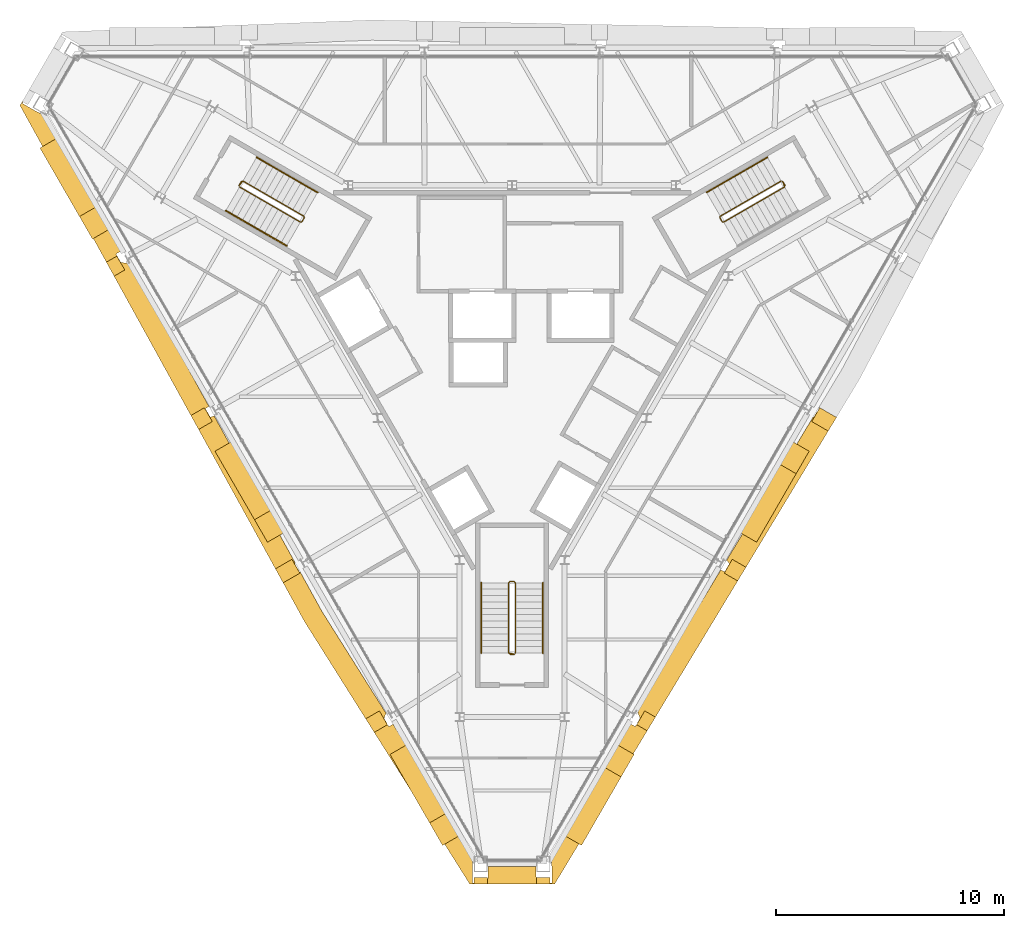
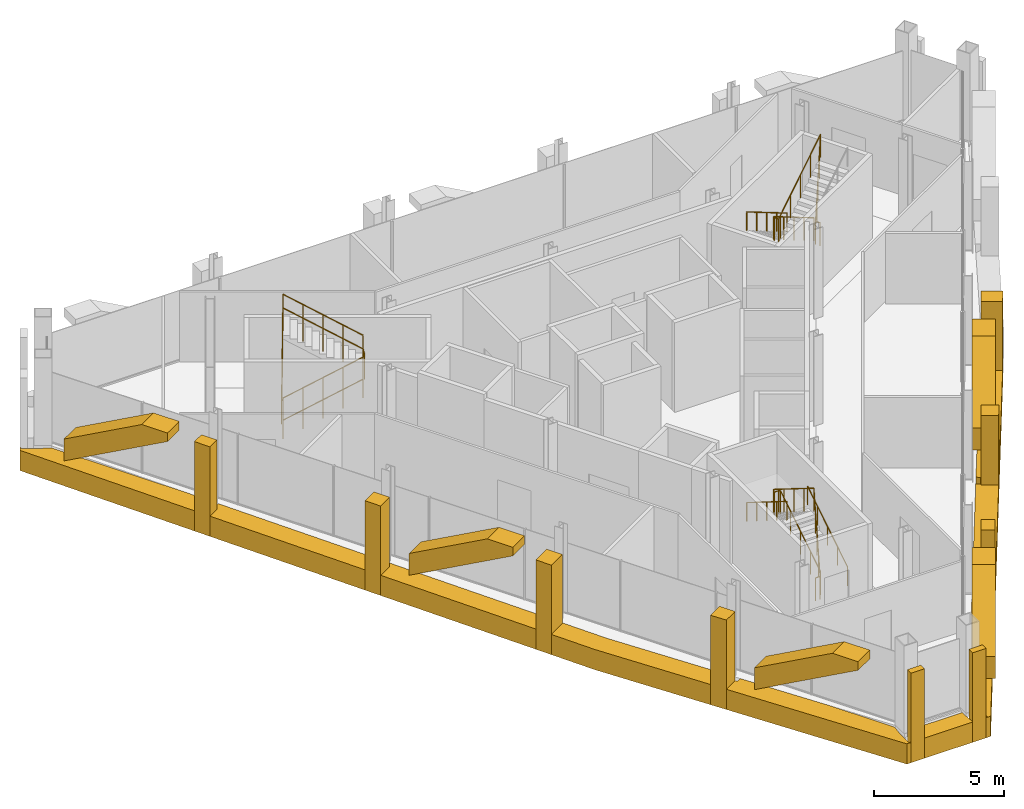
# One storey, part 12 of 13: 20 coverings, 8 railings.
"""IFC4 building model written with IfcOpenShell, lengths in metres."""

from ifc_helpers import new_model, si_unit, direction, frame, origin, origin_2d, place, context, subcontext, project, spatial, polyline, circle, outline, extrude, material, layer, layer_set, type_object, element, save


model = new_model("IFC4")

# Units and contexts
model_context = context("Model", 3, precision=1e-05, world=origin(), true_north=direction((0.0, 1.0)))
body_context = subcontext(model_context, "Body", "Model", "MODEL_VIEW")
ifc_project = project(units=[si_unit("LENGTHUNIT", "METRE"), si_unit("AREAUNIT", "SQUARE_METRE"), si_unit("VOLUMEUNIT", "CUBIC_METRE"), si_unit("PLANEANGLEUNIT", "RADIAN"), si_unit("MASSUNIT", "GRAM", prefix="KILO")], contexts=[model_context])

# Site, building, storey
site_placement = place(None, origin())
site = spatial("IfcSite", under=ifc_project, at=site_placement, CompositionType="ELEMENT")
building_placement = place(site_placement, origin())
building = spatial("IfcBuilding", under=site, at=building_placement, Name="Verrane Prism Tower", CompositionType="ELEMENT")
storey_placement = place(building_placement, frame((0.0, 0.0, 308.39990234375)))
storey = spatial("IfcBuildingStorey", under=building, at=storey_placement, Name="L78", CompositionType="ELEMENT", Elevation=308.39990234375)

# Railings
ifc_material_1 = material(Name="Steel A36 rail and posts, no infill", Category="steel")
railing_type_1 = type_object("IfcRailingType", Name="Stair guard 1100 steel rail and posts", PredefinedType="GUARDRAIL", material=ifc_material_1)
railing_1_placement = place(storey_placement, frame((11.78955078125, 6.97998046875, 0.175048828125)))
element("IfcRailing", 1, at=railing_1_placement, inside=storey, type_object=railing_type_1, Name="Stair 1 guard", PredefinedType="GUARDRAIL", context=body_context, shape_type="SweptSolid", body=[
    extrude(circle(Radius=0.02392578125, at=origin_2d()), frame((0.0, 0.0, 1.076171875), z_axis=(-0.734364028329, -0.424015404183, 0.530019255228), x_axis=(0.500026652407, -0.866010015463, 0.0)), (0.0, 0.0, 1.0), 3.632080078125),
    extrude(circle(Radius=0.02392578125, at=origin_2d()), frame((-2.667236328125, -1.5400390625, 3.0009765625), z_axis=(-0.258736085224, -0.965948051503, 0.0), x_axis=(0.965948051503, -0.258736085224, 0.0)), (0.0, 0.0, 1.0), 0.07080078125),
    extrude(circle(Radius=0.02392578125, at=origin_2d()), frame((-2.685546875, -1.6083984375, 3.0009765625), z_axis=(0.499687197852, -0.866205924883, 0.0), x_axis=(0.866205924883, 0.499687197852, 0.0)), (0.0, 0.0, 1.0), 0.199951171875),
    extrude(circle(Radius=0.02392578125, at=origin_2d()), frame((-2.585693359375, -1.781494140625, 3.0009765625), z_axis=(0.362047912139, -0.096977119323, 0.927101260728), x_axis=(0.258736085224, 0.965948051503, 0.0)), (0.0, 0.0, 1.0), 0.188720703125),
    extrude(circle(Radius=0.02392578125, at=origin_2d()), frame((-2.517333984375, -1.7998046875, 3.17626953125), z_axis=(0.734364028329, 0.424015404183, 0.530019255228), x_axis=(-0.500026652407, 0.866010015463, 0.0)), (0.0, 0.0, 1.0), 3.632080078125),
    extrude(circle(Radius=0.02392578125, at=origin_2d()), frame((0.14990234375, -0.259765625, 5.10107421875), z_axis=(-0.019378450477, 0.057381100365, -0.998164257514), x_axis=(-0.947430582667, -0.3199613899, 0.0)), (0.0, 0.0, 1.0), 4.2080078125),
    extrude(circle(Radius=0.02392578125, at=origin_2d()), frame((0.068359375, -0.018310546875, 0.90087890625), z_axis=(0.499158860599, -0.866510491504, 0.0), x_axis=(0.866510491504, 0.499158860599, 0.0)), (0.0, 0.0, 1.0), 0.199951171875),
    extrude(circle(Radius=0.02099609375, at=origin_2d()), origin(), (0.0, 0.0, 1.0), 1.052001953125),
    extrude(circle(Radius=0.02099609375, at=origin_2d()), frame((-0.666748046875, -0.385009765625, 0.481201171875)), (0.0, 0.0, 1.0), 1.052001953125),
    extrude(circle(Radius=0.02099609375, at=origin_2d()), frame((-1.33349609375, -0.77001953125, 0.96240234375)), (0.0, 0.0, 1.0), 1.052001953125),
    extrude(circle(Radius=0.02099609375, at=origin_2d()), frame((-2.00048828125, -1.155029296875, 1.44384765625)), (0.0, 0.0, 1.0), 1.052001953125),
    extrude(circle(Radius=0.02099609375, at=origin_2d()), frame((-2.667236328125, -1.5400390625, 1.925048828125)), (0.0, 0.0, 1.0), 1.052001953125),
    extrude(circle(Radius=0.02099609375, at=origin_2d()), frame((-2.685546875, -1.6083984375, 1.925048828125)), (0.0, 0.0, 1.0), 1.052001953125),
    extrude(circle(Radius=0.02099609375, at=origin_2d()), frame((-2.585693359375, -1.781494140625, 1.925048828125)), (0.0, 0.0, 1.0), 1.052001953125),
    extrude(circle(Radius=0.02099609375, at=origin_2d()), frame((-2.517333984375, -1.7998046875, 2.10009765625)), (0.0, 0.0, 1.0), 1.052001953125),
    extrude(circle(Radius=0.02099609375, at=origin_2d()), frame((-1.8505859375, -1.414794921875, 2.581298828125)), (0.0, 0.0, 1.0), 1.052001953125),
    extrude(circle(Radius=0.02099609375, at=origin_2d()), frame((-1.18359375, -1.02978515625, 3.0625)), (0.0, 0.0, 1.0), 1.052001953125),
    extrude(circle(Radius=0.02099609375, at=origin_2d()), frame((-0.516845703125, -0.644775390625, 3.5439453125)), (0.0, 0.0, 1.0), 1.052001953125),
    extrude(circle(Radius=0.02099609375, at=origin_2d()), frame((0.14990234375, -0.259765625, 4.025146484375)), (0.0, 0.0, 1.0), 1.052001953125),
    extrude(circle(Radius=0.02099609375, at=origin_2d()), frame((0.12939453125, -0.199462890625, 2.97509765625)), (0.0, 0.0, 1.0), 1.052001953125),
    extrude(circle(Radius=0.02099609375, at=origin_2d()), frame((0.109130859375, -0.13916015625, 1.925048828125)), (0.0, 0.0, 1.0), 1.052001953125),
    extrude(circle(Radius=0.02099609375, at=origin_2d()), frame((0.0888671875, -0.07861328125, 0.875)), (0.0, 0.0, 1.0), 1.052001953125),
    extrude(circle(Radius=0.02099609375, at=origin_2d()), frame((0.068359375, -0.018310546875, -0.175048828125)), (0.0, 0.0, 1.0), 1.052001953125),
    extrude(circle(Radius=0.02099609375, at=origin_2d()), frame((0.168212890625, -0.191650390625, -0.175048828125)), (0.0, 0.0, 1.0), 1.052001953125),
])
railing_2_placement = place(storey_placement, frame((-11.939453125, 6.72021484375, 0.175048828125)))
element("IfcRailing", 2, at=railing_2_placement, inside=storey, type_object=railing_type_1, Name="Stair 2 guard", PredefinedType="GUARDRAIL", context=body_context, shape_type="SweptSolid", body=[
    extrude(circle(Radius=0.02392578125, at=origin_2d()), frame((0.0, 0.0, 1.076171875), z_axis=(0.734364028329, -0.424015404183, 0.530019255228), x_axis=(0.500026652407, 0.866010015463, 0.0)), (0.0, 0.0, 1.0), 3.632080078125),
    extrude(circle(Radius=0.02392578125, at=origin_2d()), frame((2.667236328125, -1.5400390625, 3.0009765625), z_axis=(0.965948051503, 0.258736085224, 0.0), x_axis=(-0.258736085224, 0.965948051503, 0.0)), (0.0, 0.0, 1.0), 0.07080078125),
    extrude(circle(Radius=0.02392578125, at=origin_2d()), frame((2.735595703125, -1.521728515625, 3.0009765625), z_axis=(0.499687197852, 0.866205924883, 0.0), x_axis=(-0.866205924883, 0.499687197852, 0.0)), (0.0, 0.0, 1.0), 0.199951171875),
    extrude(circle(Radius=0.02392578125, at=origin_2d()), frame((2.83544921875, -1.3486328125, 3.0009765625), z_axis=(-0.096977119323, 0.362047912139, 0.927101260728), x_axis=(-0.965948051503, -0.258736085224, 0.0)), (0.0, 0.0, 1.0), 0.188720703125),
    extrude(circle(Radius=0.02392578125, at=origin_2d()), frame((2.817138671875, -1.2802734375, 3.17626953125), z_axis=(-0.734364028329, 0.424015404183, 0.530019255228), x_axis=(-0.500026652407, -0.866010015463, 0.0)), (0.0, 0.0, 1.0), 3.632080078125),
    extrude(circle(Radius=0.02392578125, at=origin_2d()), frame((0.14990234375, 0.259765625, 5.10107421875), z_axis=(-0.039975221141, -0.045545063274, -0.998162125562), x_axis=(0.751567565678, -0.659656118156, 0.0)), (0.0, 0.0, 1.0), 4.2080078125),
    extrude(circle(Radius=0.02392578125, at=origin_2d()), frame((-0.018310546875, 0.068115234375, 0.90087890625), z_axis=(0.499158860599, 0.866510491504, 0.0), x_axis=(-0.866510491504, 0.499158860599, 0.0)), (0.0, 0.0, 1.0), 0.199951171875),
    extrude(circle(Radius=0.02099609375, at=origin_2d()), origin(), (0.0, 0.0, 1.0), 1.052001953125),
    extrude(circle(Radius=0.02099609375, at=origin_2d()), frame((0.666748046875, -0.385009765625, 0.481201171875)), (0.0, 0.0, 1.0), 1.052001953125),
    extrude(circle(Radius=0.02099609375, at=origin_2d()), frame((1.33349609375, -0.77001953125, 0.96240234375)), (0.0, 0.0, 1.0), 1.052001953125),
    extrude(circle(Radius=0.02099609375, at=origin_2d()), frame((2.00048828125, -1.155029296875, 1.44384765625)), (0.0, 0.0, 1.0), 1.052001953125),
    extrude(circle(Radius=0.02099609375, at=origin_2d()), frame((2.667236328125, -1.5400390625, 1.925048828125)), (0.0, 0.0, 1.0), 1.052001953125),
    extrude(circle(Radius=0.02099609375, at=origin_2d()), frame((2.735595703125, -1.521728515625, 1.925048828125)), (0.0, 0.0, 1.0), 1.052001953125),
    extrude(circle(Radius=0.02099609375, at=origin_2d()), frame((2.83544921875, -1.3486328125, 1.925048828125)), (0.0, 0.0, 1.0), 1.052001953125),
    extrude(circle(Radius=0.02099609375, at=origin_2d()), frame((2.817138671875, -1.2802734375, 2.10009765625)), (0.0, 0.0, 1.0), 1.052001953125),
    extrude(circle(Radius=0.02099609375, at=origin_2d()), frame((2.150390625, -0.895263671875, 2.581298828125)), (0.0, 0.0, 1.0), 1.052001953125),
    extrude(circle(Radius=0.02099609375, at=origin_2d()), frame((1.4833984375, -0.51025390625, 3.0625)), (0.0, 0.0, 1.0), 1.052001953125),
    extrude(circle(Radius=0.02099609375, at=origin_2d()), frame((0.816650390625, -0.125244140625, 3.5439453125)), (0.0, 0.0, 1.0), 1.052001953125),
    extrude(circle(Radius=0.02099609375, at=origin_2d()), frame((0.14990234375, 0.259765625, 4.025146484375)), (0.0, 0.0, 1.0), 1.052001953125),
    extrude(circle(Radius=0.02099609375, at=origin_2d()), frame((0.10791015625, 0.2119140625, 2.97509765625)), (0.0, 0.0, 1.0), 1.052001953125),
    extrude(circle(Radius=0.02099609375, at=origin_2d()), frame((0.06591796875, 0.1640625, 1.925048828125)), (0.0, 0.0, 1.0), 1.052001953125),
    extrude(circle(Radius=0.02099609375, at=origin_2d()), frame((0.023681640625, 0.115966796875, 0.875)), (0.0, 0.0, 1.0), 1.052001953125),
    extrude(circle(Radius=0.02099609375, at=origin_2d()), frame((-0.018310546875, 0.068115234375, -0.175048828125)), (0.0, 0.0, 1.0), 1.052001953125),
    extrude(circle(Radius=0.02099609375, at=origin_2d()), frame((0.08154296875, 0.241455078125, -0.175048828125)), (0.0, 0.0, 1.0), 1.052001953125),
])
railing_3_placement = place(storey_placement, frame((0.14990234375, -13.699951171875, 0.175048828125)))
element("IfcRailing", 3, at=railing_3_placement, inside=storey, type_object=railing_type_1, Name="Stair 3 guard", PredefinedType="GUARDRAIL", context=body_context, shape_type="SweptSolid", body=[
    extrude(circle(Radius=0.02392578125, at=origin_2d()), frame((0.0, 0.0, 1.076171875), z_axis=(0.0, 0.847979421464, 0.530029150871), x_axis=(-1.0, 0.0, 0.0)), (0.0, 0.0, 1.0), 3.632080078125),
    extrude(circle(Radius=0.02392578125, at=origin_2d()), frame((0.0, 3.079833984375, 3.0009765625), z_axis=(-0.705375805398, 0.708833529934, 0.0), x_axis=(-0.708833529934, -0.705375805398, 0.0)), (0.0, 0.0, 1.0), 0.070556640625),
    extrude(circle(Radius=0.02392578125, at=origin_2d()), frame((-0.0498046875, 3.1298828125, 3.0009765625), z_axis=(-1.0, 0.0, 0.0), x_axis=(0.0, -1.0, 0.0)), (0.0, 0.0, 1.0), 0.2001953125),
    extrude(circle(Radius=0.02392578125, at=origin_2d()), frame((-0.25, 3.1298828125, 3.0009765625), z_axis=(-0.263862480399, -0.265155923931, 0.927399011991), x_axis=(0.708833529934, -0.705375805398, 0.0)), (0.0, 0.0, 1.0), 0.188720703125),
    extrude(circle(Radius=0.02392578125, at=origin_2d()), frame((-0.2998046875, 3.079833984375, 3.17626953125), z_axis=(0.0, -0.847979421464, 0.530029150871), x_axis=(1.0, 0.0, 0.0)), (0.0, 0.0, 1.0), 3.632080078125),
    extrude(circle(Radius=0.02392578125, at=origin_2d()), frame((-0.2998046875, 0.0, 5.10107421875), z_axis=(0.059411683916, -0.011893940628, -0.998162705169), x_axis=(0.196300278283, 0.98054382908, 0.0)), (0.0, 0.0, 1.0), 4.2080078125),
    extrude(circle(Radius=0.02392578125, at=origin_2d()), frame((-0.0498046875, -0.050048828125, 0.90087890625), z_axis=(-1.0, 0.0, 0.0), x_axis=(0.0, -1.0, 0.0)), (0.0, 0.0, 1.0), 0.2001953125),
    extrude(circle(Radius=0.02099609375, at=origin_2d()), origin(), (0.0, 0.0, 1.0), 1.052001953125),
    extrude(circle(Radius=0.02099609375, at=origin_2d()), frame((0.0, 0.77001953125, 0.481201171875)), (0.0, 0.0, 1.0), 1.052001953125),
    extrude(circle(Radius=0.02099609375, at=origin_2d()), frame((0.0, 1.5400390625, 0.96240234375)), (0.0, 0.0, 1.0), 1.052001953125),
    extrude(circle(Radius=0.02099609375, at=origin_2d()), frame((0.0, 2.309814453125, 1.44384765625)), (0.0, 0.0, 1.0), 1.052001953125),
    extrude(circle(Radius=0.02099609375, at=origin_2d()), frame((0.0, 3.079833984375, 1.925048828125)), (0.0, 0.0, 1.0), 1.052001953125),
    extrude(circle(Radius=0.02099609375, at=origin_2d()), frame((-0.0498046875, 3.1298828125, 1.925048828125)), (0.0, 0.0, 1.0), 1.052001953125),
    extrude(circle(Radius=0.02099609375, at=origin_2d()), frame((-0.25, 3.1298828125, 1.925048828125)), (0.0, 0.0, 1.0), 1.052001953125),
    extrude(circle(Radius=0.02099609375, at=origin_2d()), frame((-0.2998046875, 3.079833984375, 2.10009765625)), (0.0, 0.0, 1.0), 1.052001953125),
    extrude(circle(Radius=0.02099609375, at=origin_2d()), frame((-0.2998046875, 2.309814453125, 2.581298828125)), (0.0, 0.0, 1.0), 1.052001953125),
    extrude(circle(Radius=0.02099609375, at=origin_2d()), frame((-0.2998046875, 1.5400390625, 3.0625)), (0.0, 0.0, 1.0), 1.052001953125),
    extrude(circle(Radius=0.02099609375, at=origin_2d()), frame((-0.2998046875, 0.77001953125, 3.5439453125)), (0.0, 0.0, 1.0), 1.052001953125),
    extrude(circle(Radius=0.02099609375, at=origin_2d()), frame((-0.2998046875, 0.0, 4.025146484375)), (0.0, 0.0, 1.0), 1.052001953125),
    extrude(circle(Radius=0.02099609375, at=origin_2d()), frame((-0.2373046875, -0.012451171875, 2.97509765625)), (0.0, 0.0, 1.0), 1.052001953125),
    extrude(circle(Radius=0.02099609375, at=origin_2d()), frame((-0.1748046875, -0.02490234375, 1.925048828125)), (0.0, 0.0, 1.0), 1.052001953125),
    extrude(circle(Radius=0.02099609375, at=origin_2d()), frame((-0.1123046875, -0.03759765625, 0.875)), (0.0, 0.0, 1.0), 1.052001953125),
    extrude(circle(Radius=0.02099609375, at=origin_2d()), frame((-0.0498046875, -0.050048828125, -0.175048828125)), (0.0, 0.0, 1.0), 1.052001953125),
    extrude(circle(Radius=0.02099609375, at=origin_2d()), frame((-0.25, -0.050048828125, -0.175048828125)), (0.0, 0.0, 1.0), 1.052001953125),
])
ifc_material_2 = material(Name="Steel A36 tube", Category="steel")
railing_type_2 = type_object("IfcRailingType", Name="Stair handrail 900 steel tube", PredefinedType="HANDRAIL", material=ifc_material_2)
railing_4_placement = place(storey_placement, frame((11.189453125, 8.01904296875, 0.175048828125)))
element("IfcRailing", 4, at=railing_4_placement, inside=storey, type_object=railing_type_2, Name="Stair 1 handrail", PredefinedType="HANDRAIL", context=body_context, shape_type="SweptSolid", body=[
    extrude(circle(Radius=0.02392578125, at=origin_2d()), frame((0.0, 0.0, 0.8759765625), z_axis=(-0.734384958227, -0.423960268333, 0.530034361155), x_axis=(0.499967199496, -0.866044340336, 0.0)), (0.0, 0.0, 1.0), 3.6318359375),
    extrude(circle(Radius=0.02099609375, at=origin_2d()), origin(), (0.0, 0.0, 1.0), 0.851806640625),
    extrude(circle(Radius=0.02099609375, at=origin_2d()), frame((-0.666748046875, -0.385009765625, 0.481201171875)), (0.0, 0.0, 1.0), 0.851806640625),
    extrude(circle(Radius=0.02099609375, at=origin_2d()), frame((-1.33349609375, -0.77001953125, 0.96240234375)), (0.0, 0.0, 1.0), 0.851806640625),
    extrude(circle(Radius=0.02099609375, at=origin_2d()), frame((-2.00048828125, -1.15478515625, 1.44384765625)), (0.0, 0.0, 1.0), 0.851806640625),
    extrude(circle(Radius=0.02099609375, at=origin_2d()), frame((-2.667236328125, -1.539794921875, 1.925048828125)), (0.0, 0.0, 1.0), 0.851806640625),
])
railing_5_placement = place(storey_placement, frame((-12.53955078125, 5.680908203125, 0.175048828125)))
element("IfcRailing", 5, at=railing_5_placement, inside=storey, type_object=railing_type_2, Name="Stair 2 handrail", PredefinedType="HANDRAIL", context=body_context, shape_type="SweptSolid", body=[
    extrude(circle(Radius=0.02392578125, at=origin_2d()), frame((0.0, 0.0, 0.8759765625), z_axis=(0.734364028329, -0.424015404183, 0.530019255228), x_axis=(0.500026652407, 0.866010015463, 0.0)), (0.0, 0.0, 1.0), 3.632080078125),
    extrude(circle(Radius=0.02099609375, at=origin_2d()), origin(), (0.0, 0.0, 1.0), 0.851806640625),
    extrude(circle(Radius=0.02099609375, at=origin_2d()), frame((0.666748046875, -0.385009765625, 0.481201171875)), (0.0, 0.0, 1.0), 0.851806640625),
    extrude(circle(Radius=0.02099609375, at=origin_2d()), frame((1.33349609375, -0.77001953125, 0.96240234375)), (0.0, 0.0, 1.0), 0.851806640625),
    extrude(circle(Radius=0.02099609375, at=origin_2d()), frame((2.00048828125, -1.155029296875, 1.44384765625)), (0.0, 0.0, 1.0), 0.851806640625),
    extrude(circle(Radius=0.02099609375, at=origin_2d()), frame((2.667236328125, -1.5400390625, 1.925048828125)), (0.0, 0.0, 1.0), 0.851806640625),
])
railing_6_placement = place(storey_placement, frame((-8.522216796875, 6.479248046875, 2.275146484375)))
element("IfcRailing", 6, at=railing_6_placement, inside=storey, type_object=railing_type_2, Name="Stair 2 handrail", PredefinedType="HANDRAIL", context=body_context, shape_type="SweptSolid", body=[
    extrude(circle(Radius=0.02392578125, at=origin_2d()), frame((0.0, 0.0, 0.8759765625), z_axis=(-0.734384958227, 0.423960268333, 0.530034361155), x_axis=(-0.499967199496, -0.866044340336, 0.0)), (0.0, 0.0, 1.0), 3.6318359375),
    extrude(circle(Radius=0.02099609375, at=origin_2d()), origin(), (0.0, 0.0, 1.0), 0.851806640625),
    extrude(circle(Radius=0.02099609375, at=origin_2d()), frame((-0.666748046875, 0.385009765625, 0.481201171875)), (0.0, 0.0, 1.0), 0.851806640625),
    extrude(circle(Radius=0.02099609375, at=origin_2d()), frame((-1.33349609375, 0.77001953125, 0.96240234375)), (0.0, 0.0, 1.0), 0.851806640625),
    extrude(circle(Radius=0.02099609375, at=origin_2d()), frame((-2.00048828125, 1.15478515625, 1.44384765625)), (0.0, 0.0, 1.0), 0.851806640625),
    extrude(circle(Radius=0.02099609375, at=origin_2d()), frame((-2.667236328125, 1.539794921875, 1.925048828125)), (0.0, 0.0, 1.0), 0.851806640625),
])
railing_7_placement = place(storey_placement, frame((1.35009765625, -13.699951171875, 0.175048828125)))
element("IfcRailing", 7, at=railing_7_placement, inside=storey, type_object=railing_type_2, Name="Stair 3 handrail", PredefinedType="HANDRAIL", context=body_context, shape_type="SweptSolid", body=[
    extrude(circle(Radius=0.02392578125, at=origin_2d()), frame((0.0, 0.0, 0.8759765625), z_axis=(0.0, 0.847979421464, 0.530029150871), x_axis=(-1.0, 0.0, 0.0)), (0.0, 0.0, 1.0), 3.632080078125),
    extrude(circle(Radius=0.02099609375, at=origin_2d()), origin(), (0.0, 0.0, 1.0), 0.851806640625),
    extrude(circle(Radius=0.02099609375, at=origin_2d()), frame((0.0, 0.77001953125, 0.481201171875)), (0.0, 0.0, 1.0), 0.851806640625),
    extrude(circle(Radius=0.02099609375, at=origin_2d()), frame((0.0, 1.5400390625, 0.96240234375)), (0.0, 0.0, 1.0), 0.851806640625),
    extrude(circle(Radius=0.02099609375, at=origin_2d()), frame((0.0, 2.309814453125, 1.44384765625)), (0.0, 0.0, 1.0), 0.851806640625),
    extrude(circle(Radius=0.02099609375, at=origin_2d()), frame((0.0, 3.079833984375, 1.925048828125)), (0.0, 0.0, 1.0), 0.851806640625),
])
railing_8_placement = place(storey_placement, frame((-1.35009765625, -10.6201171875, 2.275146484375)))
element("IfcRailing", 8, at=railing_8_placement, inside=storey, type_object=railing_type_2, Name="Stair 3 handrail", PredefinedType="HANDRAIL", context=body_context, shape_type="SweptSolid", body=[
    extrude(circle(Radius=0.02392578125, at=origin_2d()), frame((0.0, 0.0, 0.8759765625), z_axis=(0.0, -0.847979421464, 0.530029150871), x_axis=(1.0, 0.0, 0.0)), (0.0, 0.0, 1.0), 3.632080078125),
    extrude(circle(Radius=0.02099609375, at=origin_2d()), origin(), (0.0, 0.0, 1.0), 0.851806640625),
    extrude(circle(Radius=0.02099609375, at=origin_2d()), frame((0.0, -0.77001953125, 0.481201171875)), (0.0, 0.0, 1.0), 0.851806640625),
    extrude(circle(Radius=0.02099609375, at=origin_2d()), frame((0.0, -1.5400390625, 0.96240234375)), (0.0, 0.0, 1.0), 0.851806640625),
    extrude(circle(Radius=0.02099609375, at=origin_2d()), frame((0.0, -2.309814453125, 1.44384765625)), (0.0, 0.0, 1.0), 0.851806640625),
    extrude(circle(Radius=0.02099609375, at=origin_2d()), frame((0.0, -3.079833984375, 1.925048828125)), (0.0, 0.0, 1.0), 0.851806640625),
])

# Coverings
ifc_material_3 = material(Name="Warm limestone cladding", Category="masonry")
ifc_layer_1 = layer(ifc_material_3, 0.89990234375)
ifc_layer_set_1 = layer_set([ifc_layer_1], Name="Stone brace fin 900")
covering_type_1 = type_object("IfcCoveringType", Name="Stone brace fin 900", PredefinedType="CLADDING", material=ifc_layer_set_1)
for number, where, z_axis, x_axis, name in (
    (9, (-20.294189453125, 8.650390625, 0.326904296875), (0.0, 0.0, 1.0), (0.5000194552, -0.866014171028, 0.0), "Stone brace fin SW1 L78"),
    (10, (-12.625, -4.632568359375, 0.326904296875), (0.0, 0.0, 1.0), (0.49997966108, -0.866037146147, 0.0), "Stone brace fin SW3 L78"),
    (11, (-4.956298828125, -17.91552734375, 0.326904296875), (0.0, 0.0, 1.0), (0.5000194552, -0.866014171028, 0.0), "Stone brace fin SW5 L78"),
    (12, (2.655517578125, -21.900390625, 0.326904296875), (0.0, 0.0, 1.0), (0.5000194552, 0.866014171028, 0.0), "Stone brace fin SE1 L78"),
    (13, (10.324462890625, -8.617431640625, 0.326904296875), (0.0, 0.0, 1.0), (0.49997966108, 0.866037146147, 0.0), "Stone brace fin SE3 L78"),
):
    element("IfcCovering", number, at=place(storey_placement, frame(where, z_axis=z_axis, x_axis=x_axis)), inside=storey, type_object=covering_type_1, Name=name, PredefinedType="CLADDING", context=body_context, shape_type="SweptSolid", body=[
        extrude(outline(polyline([(4.601318359375, 2.923095703125), (3.463623046875, 2.923095703125), (0.0, 1.0263671875), (0.0, 0.0), (4.601318359375, 2.52001953125), (4.601318359375, 2.923095703125)])), frame((0.0, 0.449951171875, 0.0), z_axis=(0.0, -1.0, 0.0), x_axis=(1.0, 0.0, 0.0)), (0.0, 0.0, 1.0), 0.89990234375),
    ])
ifc_material_4 = material(Name="Warm limestone cladding", Category="masonry")
covering_type_2 = type_object("IfcCoveringType", Name="Stone corner pier 600", PredefinedType="CLADDING", material=ifc_material_4)
covering_1_placement = place(storey_placement, frame((0.0, 0.0, -0.949951171875)))
element("IfcCovering", 14, at=covering_1_placement, inside=storey, type_object=covering_type_2, Name="Stone pier MC-S.a L78", PredefinedType="CLADDING", context=body_context, shape_type="SweptSolid", body=[
    extrude(outline(polyline([(-1.069091796875, -23.52880859375), (-1.6689453125, -23.52880859375), (-1.6689453125, -23.813720703125), (-1.069091796875, -23.813720703125), (-1.069091796875, -23.52880859375)])), origin(), (0.0, 0.0, 1.0), 4.199951171875),
])
covering_2_placement = place(storey_placement, frame((0.0, 0.0, -0.949951171875)))
element("IfcCovering", 15, at=covering_2_placement, inside=storey, type_object=covering_type_2, Name="Stone pier MC-S.b L78", PredefinedType="CLADDING", context=body_context, shape_type="SweptSolid", body=[
    extrude(outline(polyline([(1.6689453125, -23.52880859375), (1.069091796875, -23.52880859375), (1.069091796875, -23.813720703125), (1.6689453125, -23.813720703125), (1.6689453125, -23.52880859375)])), origin(), (0.0, 0.0, 1.0), 4.199951171875),
])
ifc_material_5 = material(Name="Warm limestone cladding", Category="masonry")
covering_type_3 = type_object("IfcCoveringType", Name="Stone pier 700", PredefinedType="CLADDING", material=ifc_material_5)
covering_3_placement = place(storey_placement, frame((0.0, 0.0, -0.949951171875)))
element("IfcCovering", 16, at=covering_3_placement, inside=storey, type_object=covering_type_3, Name="Stone pier PC-SW1 L78", PredefinedType="CLADDING", context=body_context, shape_type="SweptSolid", body=[
    extrude(outline(polyline([(-16.96484375, 3.084228515625), (-17.094482421875, 3.30859375), (-17.31494140625, 3.6904296875), (-17.773681640625, 3.425537109375), (-17.435546875, 2.8125), (-16.96484375, 3.084228515625)])), origin(), (0.0, 0.0, 1.0), 4.199951171875),
])
covering_4_placement = place(storey_placement, frame((0.0, 0.0, -0.949951171875)))
element("IfcCovering", 17, at=covering_4_placement, inside=storey, type_object=covering_type_3, Name="Stone pier PC-SW2 L78", PredefinedType="CLADDING", context=body_context, shape_type="SweptSolid", body=[
    extrude(outline(polyline([(-13.13037109375, -3.557373046875), (-13.279296875, -3.299560546875), (-13.48046875, -2.951171875), (-14.0703125, -3.291748046875), (-13.732421875, -3.90478515625), (-13.13037109375, -3.557373046875)])), origin(), (0.0, 0.0, 1.0), 4.199951171875),
])
covering_5_placement = place(storey_placement, frame((0.0, 0.0, -0.949951171875)))
element("IfcCovering", 18, at=covering_5_placement, inside=storey, type_object=covering_type_3, Name="Stone pier PC-SW3 L78", PredefinedType="CLADDING", context=body_context, shape_type="SweptSolid", body=[
    extrude(outline(polyline([(-9.2958984375, -10.198974609375), (-9.470947265625, -9.895751953125), (-9.64599609375, -9.5927734375), (-10.366943359375, -10.009033203125), (-10.029052734375, -10.6220703125), (-9.2958984375, -10.198974609375)])), origin(), (0.0, 0.0, 1.0), 4.199951171875),
])
covering_6_placement = place(storey_placement, frame((0.0, 0.0, -0.949951171875)))
element("IfcCovering", 19, at=covering_6_placement, inside=storey, type_object=covering_type_3, Name="Stone pier PC-SW4 L78", PredefinedType="CLADDING", context=body_context, shape_type="SweptSolid", body=[
    extrude(outline(polyline([(-5.46142578125, -16.84033203125), (-5.8115234375, -16.234130859375), (-6.41162109375, -16.580810546875), (-6.038330078125, -17.173583984375), (-5.46142578125, -16.84033203125)])), origin(), (0.0, 0.0, 1.0), 4.199951171875),
])
covering_7_placement = place(storey_placement, frame((0.0, 0.0, -0.949951171875)))
element("IfcCovering", 20, at=covering_7_placement, inside=storey, type_object=covering_type_3, Name="Stone pier PC-SE1 L78", PredefinedType="CLADDING", context=body_context, shape_type="SweptSolid", body=[
    extrude(outline(polyline([(5.8115234375, -16.234130859375), (5.710205078125, -16.409912109375), (5.46142578125, -16.84033203125), (5.920166015625, -17.105224609375), (6.281982421875, -16.505859375), (5.8115234375, -16.234130859375)])), origin(), (0.0, 0.0, 1.0), 4.199951171875),
])
covering_8_placement = place(storey_placement, frame((0.0, 0.0, -0.949951171875)))
element("IfcCovering", 21, at=covering_8_placement, inside=storey, type_object=covering_type_3, Name="Stone pier PC-SE2 L78", PredefinedType="CLADDING", context=body_context, shape_type="SweptSolid", body=[
    extrude(outline(polyline([(9.64599609375, -9.5927734375), (9.2958984375, -10.198974609375), (9.8857421875, -10.539306640625), (10.247802734375, -9.940185546875), (9.64599609375, -9.5927734375)])), origin(), (0.0, 0.0, 1.0), 4.199951171875),
])
covering_9_placement = place(storey_placement, frame((0.0, 0.0, -0.949951171875)))
element("IfcCovering", 22, at=covering_9_placement, inside=storey, type_object=covering_type_3, Name="Stone pier PC-SE3 L78", PredefinedType="CLADDING", context=body_context, shape_type="SweptSolid", body=[
    extrude(outline(polyline([(13.48046875, -2.951171875), (13.13037109375, -3.557373046875), (13.8515625, -3.9736328125), (14.21337890625, -3.374267578125), (13.48046875, -2.951171875)])), origin(), (0.0, 0.0, 1.0), 4.199951171875),
])
ifc_material_6 = material(Name="Warm limestone cladding", Category="masonry")
ifc_layer_2 = layer(ifc_material_6, 0.449951171875)
ifc_layer_set_2 = layer_set([ifc_layer_2], Name="Stone spandrel band 450")
covering_type_4 = type_object("IfcCoveringType", Name="Stone spandrel band 450", PredefinedType="CLADDING", material=ifc_layer_set_2)
covering_10_placement = place(storey_placement, frame((0.0, 0.0, -0.949951171875)))
element("IfcCovering", 23, at=covering_10_placement, inside=storey, type_object=covering_type_4, Name="Stone spandrel band L78 part 3", PredefinedType="CLADDING", context=body_context, shape_type="SweptSolid", body=[
    extrude(outline(polyline([(-6.41162109375, -16.580810546875), (-5.8115234375, -16.234130859375), (-5.487548828125, -16.79541015625), (-5.4912109375, -16.7548828125), (-5.6044921875, -16.55859375), (-5.523681640625, -16.330322265625), (-8.320556640625, -11.88818359375), (-9.2890625, -10.131591796875), (-9.311767578125, -10.144775390625), (-9.52490234375, -9.775634765625), (-9.49951171875, -9.749755859375), (-13.0478515625, -3.3134765625), (-13.2236328125, -3.35888671875), (-13.3427734375, -3.152587890625), (-13.3740234375, -3.135498046875), (-13.13037109375, -3.557373046875), (-13.732421875, -3.90478515625), (-10.366943359375, -10.009033203125), (-9.64599609375, -9.5927734375), (-9.2958984375, -10.198974609375), (-10.029052734375, -10.6220703125), (-9.0830078125, -12.337890625), (-6.41162109375, -16.580810546875)])), origin(), (0.0, 0.0, 1.0), 0.949951171875),
])
covering_11_placement = place(storey_placement, frame((0.0, 0.0, -0.949951171875)))
element("IfcCovering", 24, at=covering_11_placement, inside=storey, type_object=covering_type_4, Name="Stone spandrel band L78 part 4", PredefinedType="CLADDING", context=body_context, shape_type="SweptSolid", body=[
    extrude(outline(polyline([(13.8515625, -3.9736328125), (13.13037109375, -3.557373046875), (13.3740234375, -3.135498046875), (13.3427734375, -3.152587890625), (13.2236328125, -3.35888671875), (13.19384765625, -3.35107421875), (9.394287109375, -9.6416015625), (9.52490234375, -9.775634765625), (9.311767578125, -10.144775390625), (9.147705078125, -10.050048828125), (5.43798828125, -16.19189453125), (5.48388671875, -16.21826171875), (5.6044921875, -16.55859375), (5.4912109375, -16.7548828125), (5.487548828125, -16.79541015625), (5.8115234375, -16.234130859375), (6.281982421875, -16.505859375), (9.8857421875, -10.539306640625), (9.2958984375, -10.198974609375), (9.64599609375, -9.5927734375), (10.247802734375, -9.940185546875), (13.8515625, -3.9736328125)])), origin(), (0.0, 0.0, 1.0), 0.949951171875),
])
covering_12_placement = place(storey_placement, frame((0.0, 0.0, -0.949951171875)))
element("IfcCovering", 25, at=covering_12_placement, inside=storey, type_object=covering_type_4, Name="Stone spandrel band L78 part 5", PredefinedType="CLADDING", context=body_context, shape_type="SweptSolid", body=[
    extrude(outline(polyline([(-14.0703125, -3.291748046875), (-13.48046875, -2.951171875), (-13.38134765625, -3.12255859375), (-13.37109375, -3.103759765625), (-13.436767578125, -2.98974609375), (-13.277099609375, -2.897705078125), (-16.741455078125, 3.38623046875), (-16.789794921875, 3.3583984375), (-17.143798828125, 3.42431640625), (-17.3525390625, 3.785400390625), (-17.055908203125, 3.956787109375), (-17.43701171875, 4.64794921875), (-20.430419921875, 9.83251953125), (-20.827880859375, 10.0185546875), (-21.461181640625, 10.38427734375), (-21.4267578125, 10.443603515625), (-21.457763671875, 10.46142578125), (-21.557373046875, 10.288818359375), (-17.773681640625, 3.425537109375), (-17.31494140625, 3.6904296875), (-16.96484375, 3.084228515625), (-17.435546875, 2.8125), (-14.0703125, -3.291748046875)])), origin(), (0.0, 0.0, 1.0), 0.949951171875),
])
covering_13_placement = place(storey_placement, frame((0.0, 0.0, -0.949951171875)))
element("IfcCovering", 26, at=covering_13_placement, inside=storey, type_object=covering_type_4, Name="Stone spandrel band L78 part 6", PredefinedType="CLADDING", context=body_context, shape_type="SweptSolid", body=[
    extrude(outline(polyline([(-1.6689453125, -23.813720703125), (-1.6689453125, -23.7802734375), (-1.740478515625, -23.7802734375), (-1.740478515625, -23.049072265625), (-1.702392578125, -22.605712890625), (-3.134765625, -20.124267578125), (-5.2109375, -16.826904296875), (-5.239501953125, -16.82958984375), (-5.39599609375, -16.919921875), (-5.437744140625, -16.847412109375), (-5.480224609375, -16.851318359375), (-6.038330078125, -17.173583984375), (-1.857421875, -23.813720703125), (-1.6689453125, -23.813720703125)])), origin(), (0.0, 0.0, 1.0), 0.949951171875),
])
covering_14_placement = place(storey_placement, frame((0.0, 0.0, -0.949951171875)))
element("IfcCovering", 27, at=covering_14_placement, inside=storey, type_object=covering_type_4, Name="Stone spandrel band L78 part 7", PredefinedType="CLADDING", context=body_context, shape_type="SweptSolid", body=[
    extrude(outline(polyline([(1.868408203125, -23.813720703125), (5.920166015625, -17.105224609375), (5.480224609375, -16.851318359375), (5.437744140625, -16.847412109375), (5.39599609375, -16.919921875), (5.239501953125, -16.82958984375), (5.0625, -16.813720703125), (4.693115234375, -17.425537109375), (1.702392578125, -22.605712890625), (1.740478515625, -23.049072265625), (1.740478515625, -23.7802734375), (1.6689453125, -23.7802734375), (1.6689453125, -23.813720703125), (1.868408203125, -23.813720703125)])), origin(), (0.0, 0.0, 1.0), 0.949951171875),
])
covering_15_placement = place(storey_placement, frame((0.0, 0.0, -0.949951171875)))
element("IfcCovering", 28, at=covering_15_placement, inside=storey, type_object=covering_type_4, Name="Stone spandrel band L78 part 8", PredefinedType="CLADDING", context=body_context, shape_type="SweptSolid", body=[
    extrude(outline(polyline([(1.069091796875, -23.813720703125), (1.069091796875, -23.617919921875), (1.043701171875, -23.323486328125), (1.043701171875, -23.055908203125), (-1.043701171875, -23.055908203125), (-1.043701171875, -23.323486328125), (-1.069091796875, -23.617919921875), (-1.069091796875, -23.813720703125), (1.069091796875, -23.813720703125)])), origin(), (0.0, 0.0, 1.0), 0.949951171875),
])

save(model, "model.ifc")
